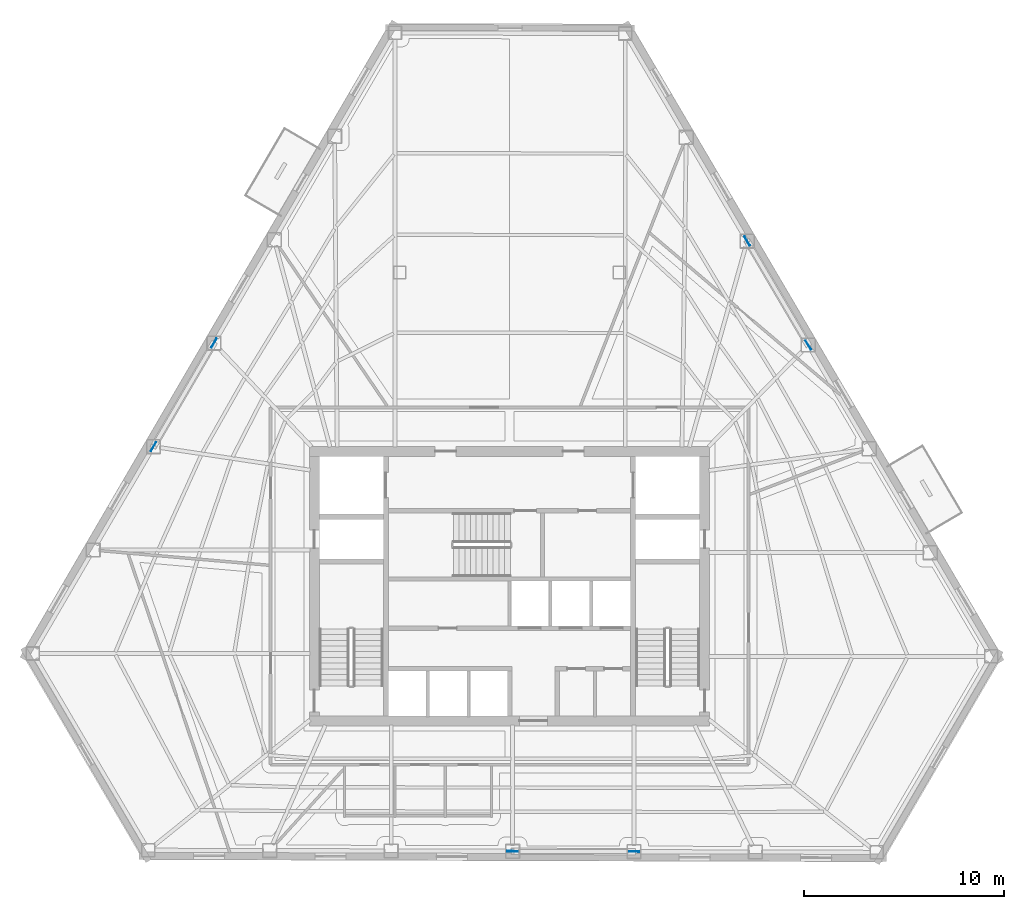
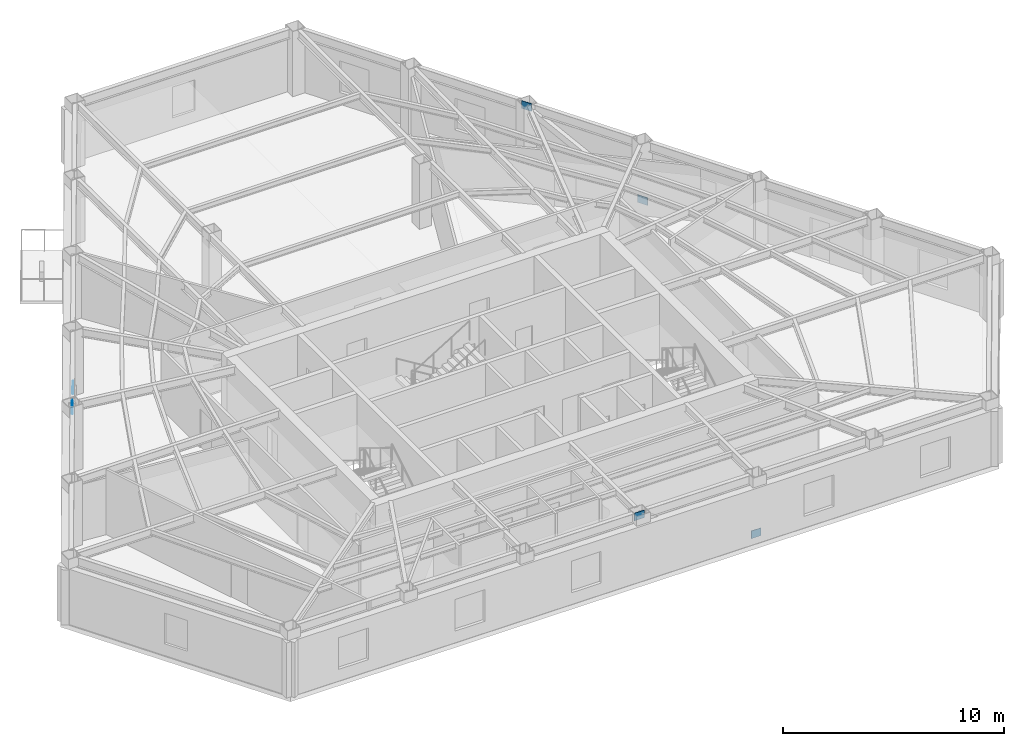
# One storey, part 4 of 11: 6 plates.
"""IFC4 building model written with IfcOpenShell, lengths in metres."""

from ifc_helpers import new_model, si_unit, direction, frame, origin, origin_2d, place, context, subcontext, project, spatial, rectangle, extrude, material, layer, layer_set, type_object, element, save


model = new_model("IFC4")

# Units and contexts
model_context = context("Model", 3, precision=1e-05, world=origin(), true_north=direction((0.0, 1.0)))
body_context = subcontext(model_context, "Body", "Model", "MODEL_VIEW")
ifc_project = project(units=[si_unit("LENGTHUNIT", "METRE"), si_unit("AREAUNIT", "SQUARE_METRE"), si_unit("VOLUMEUNIT", "CUBIC_METRE"), si_unit("PLANEANGLEUNIT", "RADIAN"), si_unit("MASSUNIT", "GRAM", prefix="KILO")], contexts=[model_context])

# Site, building, storey
site_placement = place(None, origin())
site = spatial("IfcSite", under=ifc_project, at=site_placement, CompositionType="ELEMENT")
building_placement = place(site_placement, origin())
building = spatial("IfcBuilding", under=site, at=building_placement, Name="Kavelnor Concourse Tower", CompositionType="ELEMENT")
storey_placement = place(building_placement, frame((0.0, 0.0, 127.85009765625)))
storey = spatial("IfcBuildingStorey", under=building, at=storey_placement, Name="L32", CompositionType="ELEMENT", Elevation=127.85009765625)

# Plates
ifc_material = material(Name="Steel Grade 350", Category="steel")
ifc_layer = layer(ifc_material, 0.031982421875, Name="Steel Grade 350")
ifc_layer_set = layer_set([ifc_layer], Name="Steel Grade 350")
plate_type = type_object("IfcPlateType", Name="PL-GUSSET-TUBE-Z1", PredefinedType="USERDEFINED", material=ifc_layer_set)
for number, where, z_axis, x_axis, name in (
    (1, (23.2001953125, 28.2744140625, 0.010009765625), (0.0, 0.0, 1.0), (-0.504075481823, -0.863659602288, 0.0), "L32 Tube Brace Gusset GP3 F0-B3 End Gusset A"),
    (2, (20.16455078125, 23.072998046875, 3.12353515625), (0.0, 0.0, 1.0), (-0.504075481823, -0.863659602288, 0.0), "L32 Tube Brace Gusset GP3 F0-B3 End Gusset B"),
    (3, (44.2470703125, 2.79638671875, 0.010009765625), (0.0, 0.0, 1.0), (-0.999995598282, 0.002967055375, 0.0), "L32 Tube Brace Gusset GP3 F1-B3 End Gusset A"),
    (4, (38.142578125, 2.814208984375, 3.12353515625), (0.0, 0.0, 1.0), (-0.999995598282, 0.002967055375, 0.0), "L32 Tube Brace Gusset GP3 F1-B3 End Gusset B"),
    (5, (52.966796875, 28.164306640625, 0.010009765625), (0.0, 0.0, 1.0), (-0.50663578889, 0.862160180834, 0.0), "L32 Tube Brace Gusset GP3 F2-B3 End Gusset A"),
    (6, (49.899658203125, 33.384033203125, 3.12353515625), (0.0, 0.0, 1.0), (-0.50663578889, 0.862160180834, 0.0), "L32 Tube Brace Gusset GP3 F2-B3 End Gusset B"),
):
    element("IfcPlate", number, at=place(storey_placement, frame(where, z_axis=z_axis, x_axis=x_axis)), inside=storey, type_object=plate_type, Name=name, ObjectType="GUSSET_PLATE", PredefinedType="USERDEFINED", context=body_context, shape_type="SweptSolid", body=[
        extrude(rectangle(XDim=0.52001953125, YDim=0.031982421875, at=origin_2d()), origin(), (0.0, 0.0, 1.0), 0.419921875),
    ])

save(model, "model.ifc")
